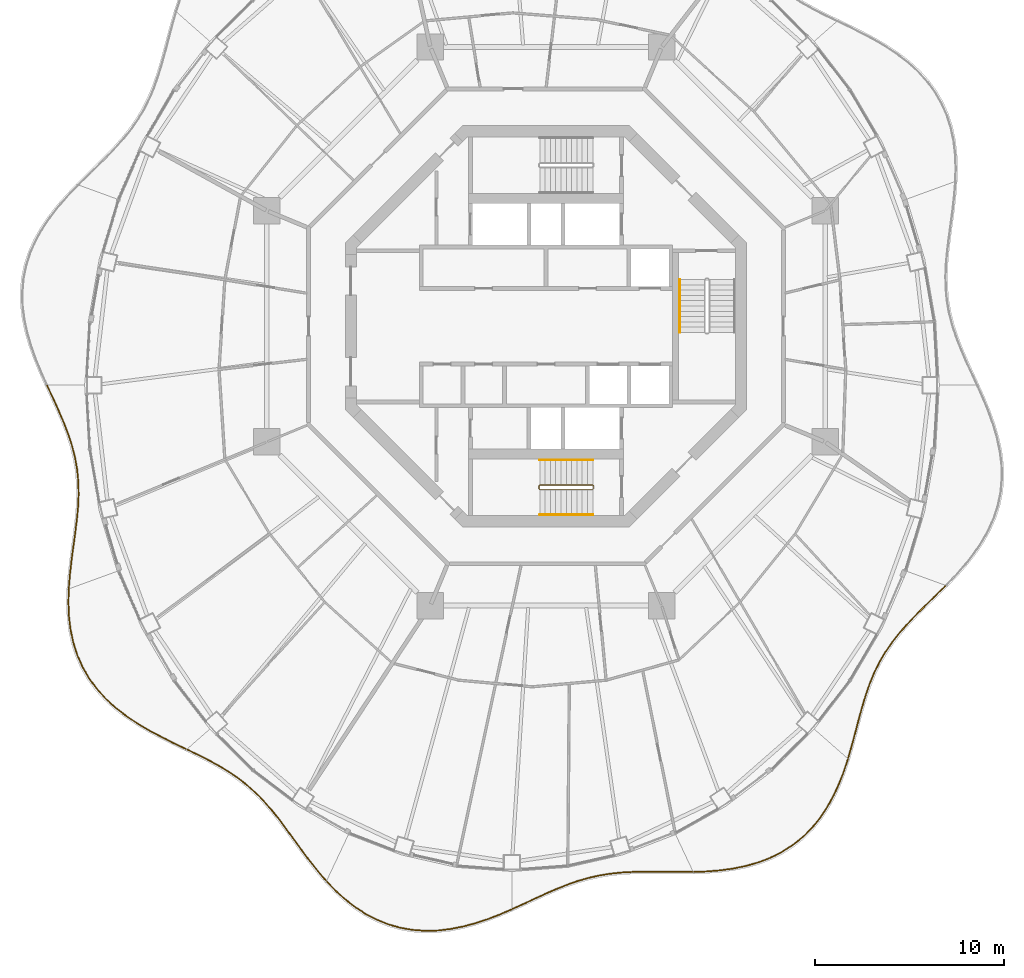
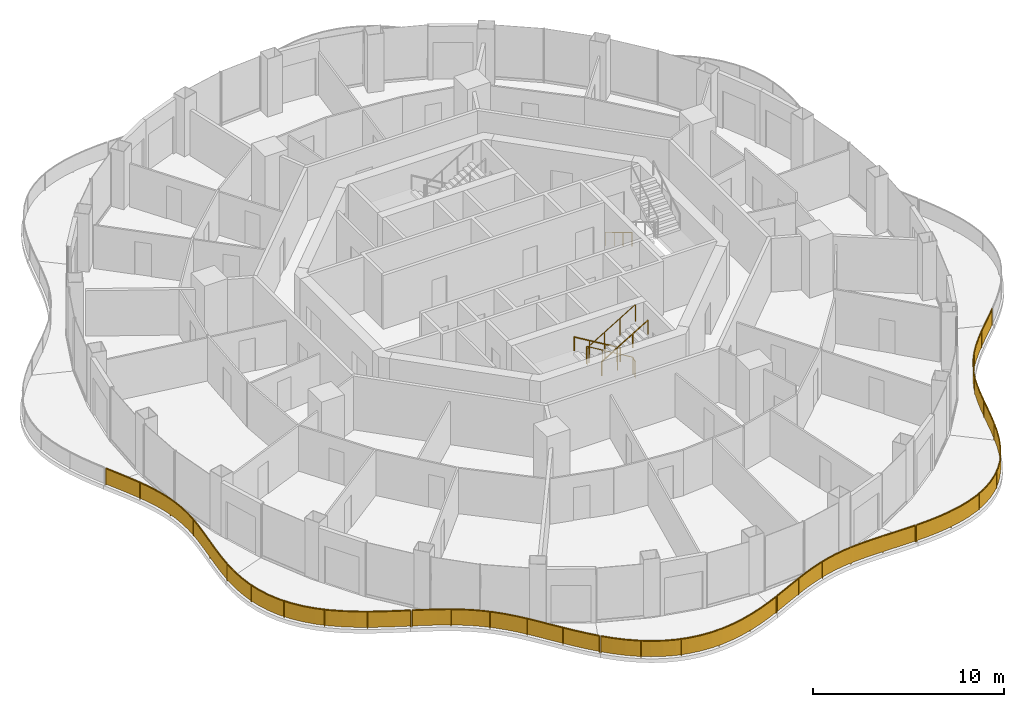
# One storey, part 15 of 17: 11 railings.
"""IFC4 building model written with IfcOpenShell, lengths in metres."""

from ifc_helpers import new_model, si_unit, direction, frame, origin, origin_2d, place, context, subcontext, project, spatial, polyline, rectangle, circle, outline, extrude, material, type_object, element, save


model = new_model("IFC4")

# Units and contexts
model_context = context("Model", 3, precision=1e-05, world=origin(), true_north=direction((0.0, 1.0)))
body_context = subcontext(model_context, "Body", "Model", "MODEL_VIEW")
ifc_project = project(units=[si_unit("LENGTHUNIT", "METRE"), si_unit("AREAUNIT", "SQUARE_METRE"), si_unit("VOLUMEUNIT", "CUBIC_METRE"), si_unit("PLANEANGLEUNIT", "RADIAN"), si_unit("MASSUNIT", "GRAM", prefix="KILO")], contexts=[model_context])

# Site, building, storey
site_placement = place(None, origin())
site = spatial("IfcSite", under=ifc_project, at=site_placement, CompositionType="ELEMENT")
building_placement = place(site_placement, origin())
building = spatial("IfcBuilding", under=site, at=building_placement, Name="Nagisa Residences", CompositionType="ELEMENT")
storey_placement = place(building_placement, frame((0.0, 0.0, 291.800048828125)))
storey = spatial("IfcBuildingStorey", under=building, at=storey_placement, Name="L74", CompositionType="ELEMENT", Elevation=291.800048828125)

# Railings
ifc_material_1 = material(Name="Stainless steel 316", Category="steel")
railing_type_1 = type_object("IfcRailingType", Name="BALCONY GUARD 1100", PredefinedType="BALUSTRADE", material=ifc_material_1)
railing_1_placement = place(storey_placement, frame((-26.398681640625, -3.15185546875, 0.0)))
element("IfcRailing", 1, at=railing_1_placement, inside=storey, type_object=railing_type_1, Name="guard:L74:bal08-0", PredefinedType="BALUSTRADE", context=body_context, shape_type="SweptSolid", body=[
    extrude(outline(polyline([(0.313232421875, -0.615478515625), (0.022705078125, 0.010498046875), (-0.022705078125, -0.010498046875), (0.267822265625, -0.636474609375), (0.566162109375, -1.291015625), (0.843505859375, -1.934814453125), (1.088623046875, -2.571044921875), (1.29345703125, -3.202880859375), (1.450927734375, -3.82080078125), (1.560302734375, -4.45654296875), (1.62060546875, -5.1005859375), (1.633544921875, -5.75634765625), (1.605224609375, -6.426513671875), (1.53955078125, -7.099853515625), (1.453125, -7.8037109375), (1.354736328125, -8.523681640625), (1.257080078125, -9.2578125), (1.173095703125, -10.0029296875), (1.117431640625, -10.708251953125), (1.167236328125, -10.712158203125), (1.222900390625, -10.0078125), (1.306884765625, -9.26416015625), (1.404541015625, -8.530517578125), (1.5029296875, -7.81005859375), (1.58935546875, -7.105224609375), (1.655029296875, -6.429931640625), (1.683837890625, -5.7568359375), (1.67041015625, -5.09765625), (1.610107421875, -4.4501953125), (1.499755859375, -3.810546875), (1.341796875, -3.189208984375), (1.135986328125, -2.554443359375), (0.889892578125, -1.915771484375), (0.612060546875, -1.2705078125), (0.313232421875, -0.615478515625)])), frame((0.0, 0.0, 1.050048828125)), (0.0, 0.0, 1.0), 0.050048828125),
    extrude(outline(polyline([(0.296875, -0.623046875), (0.00634765625, 0.0029296875), (-0.00634765625, -0.0029296875), (0.2841796875, -0.62890625), (0.582763671875, -1.28369140625), (0.860107421875, -1.927978515625), (1.105712890625, -2.565185546875), (1.310791015625, -3.197998046875), (1.468505859375, -3.817138671875), (1.578369140625, -4.454345703125), (1.638427734375, -5.099609375), (1.651611328125, -5.756591796875), (1.623046875, -6.427734375), (1.557373046875, -7.101806640625), (1.47119140625, -7.805908203125), (1.372802734375, -8.526123046875), (1.275146484375, -9.26025390625), (1.19091796875, -10.004638671875), (1.13525390625, -10.709716796875), (1.1494140625, -10.710693359375), (1.205078125, -10.006103515625), (1.288818359375, -9.26171875), (1.386474609375, -8.528076171875), (1.48486328125, -7.807861328125), (1.571533203125, -7.103271484375), (1.63720703125, -6.4287109375), (1.665771484375, -5.756591796875), (1.652587890625, -5.0986328125), (1.592041015625, -4.452392578125), (1.482177734375, -3.814208984375), (1.324462890625, -3.194091796875), (1.118896484375, -2.560302734375), (0.873291015625, -1.922607421875), (0.595458984375, -1.27783203125), (0.296875, -0.623046875)])), frame((0.0, 0.0, 0.06005859375)), (0.0, 0.0, 1.0), 0.989990234375),
    extrude(rectangle(XDim=0.0400390625, YDim=0.0400390625, at=origin_2d()), origin(), (0.0, 0.0, 1.0), 1.050048828125),
    extrude(rectangle(XDim=0.0400390625, YDim=0.0400390625, at=origin_2d()), frame((0.901123046875, -2.0146484375, 0.0)), (0.0, 0.0, 1.0), 1.050048828125),
    extrude(rectangle(XDim=0.0400390625, YDim=0.0400390625, at=origin_2d()), frame((1.52880859375, -4.125732421875, 0.0)), (0.0, 0.0, 1.0), 1.050048828125),
    extrude(rectangle(XDim=0.0400390625, YDim=0.0400390625, at=origin_2d()), frame((1.634521484375, -6.324462890625, 0.0)), (0.0, 0.0, 1.0), 1.050048828125),
    extrude(rectangle(XDim=0.0400390625, YDim=0.0400390625, at=origin_2d()), frame((1.381103515625, -8.5166015625, 0.0)), (0.0, 0.0, 1.0), 1.050048828125),
    extrude(rectangle(XDim=0.0400390625, YDim=0.0400390625, at=origin_2d()), frame((1.142333984375, -10.710205078125, 0.0)), (0.0, 0.0, 1.0), 1.050048828125),
])
railing_2_placement = place(storey_placement, frame((-25.261474609375, -13.93896484375, 0.0)))
element("IfcRailing", 2, at=railing_2_placement, inside=storey, type_object=railing_type_1, Name="guard:L74:bal09-0", PredefinedType="BALUSTRADE", context=body_context, shape_type="SweptSolid", body=[
    extrude(outline(polyline([(0.006103515625, -0.681640625), (0.02490234375, -0.000732421875), (-0.02490234375, 0.000732421875), (-0.044189453125, -0.68212890625), (-0.0146484375, -1.4052734375), (0.0703125, -2.116943359375), (0.2177734375, -2.810302734375), (0.43212890625, -3.479736328125), (0.708740234375, -4.1064453125), (1.06005859375, -4.711181640625), (1.477294921875, -5.27783203125), (1.95458984375, -5.8037109375), (2.4853515625, -6.28857421875), (3.052734375, -6.72119140625), (3.662353515625, -7.126953125), (4.296630859375, -7.5), (4.9443359375, -7.845458984375), (5.595458984375, -8.169921875), (6.200439453125, -8.459716796875), (6.221923828125, -8.414794921875), (5.617431640625, -8.125), (4.96728515625, -7.801025390625), (4.321044921875, -7.45654296875), (3.688720703125, -7.08447265625), (3.08203125, -6.6806640625), (2.517578125, -6.25), (1.990234375, -5.7685546875), (1.515869140625, -5.24609375), (1.10205078125, -4.683837890625), (0.753173828125, -4.08349609375), (0.47900390625, -3.462158203125), (0.26611328125, -2.797607421875), (0.11962890625, -2.108642578125), (0.03515625, -1.4013671875), (0.006103515625, -0.681640625)])), frame((0.0, 0.0, 1.050048828125)), (0.0, 0.0, 1.0), 0.050048828125),
    extrude(outline(polyline([(-0.011962890625, -0.681884765625), (0.007080078125, -0.000244140625), (-0.007080078125, 0.000244140625), (-0.026123046875, -0.681884765625), (0.003173828125, -1.40380859375), (0.088134765625, -2.114013671875), (0.235107421875, -2.8056640625), (0.448974609375, -3.473388671875), (0.724609375, -4.09814453125), (1.0751953125, -4.701416015625), (1.4912109375, -5.266357421875), (1.967529296875, -5.791015625), (2.4970703125, -6.274658203125), (3.063232421875, -6.70654296875), (3.671875, -7.111572265625), (4.305419921875, -7.484375), (4.95263671875, -7.829345703125), (5.603271484375, -8.15380859375), (6.208251953125, -8.443603515625), (6.214111328125, -8.430908203125), (5.609619140625, -8.14111328125), (4.958984375, -7.817138671875), (4.312255859375, -7.47216796875), (3.67919921875, -7.099853515625), (3.071533203125, -6.6953125), (2.505859375, -6.263916015625), (1.977294921875, -5.78125), (1.501953125, -5.257568359375), (1.0869140625, -4.693603515625), (0.7373046875, -4.091796875), (0.462158203125, -3.468505859375), (0.248779296875, -2.80224609375), (0.101806640625, -2.111572265625), (0.017333984375, -1.40283203125), (-0.011962890625, -0.681884765625)])), frame((0.0, 0.0, 0.06005859375)), (0.0, 0.0, 1.0), 0.989990234375),
    extrude(rectangle(XDim=0.0400390625, YDim=0.0400390625, at=origin_2d()), origin(), (0.0, 0.0, 1.0), 1.050048828125),
    extrude(rectangle(XDim=0.0400390625, YDim=0.0400390625, at=origin_2d()), frame((0.1259765625, -2.25830078125, 0.0)), (0.0, 0.0, 1.0), 1.050048828125),
    extrude(rectangle(XDim=0.0400390625, YDim=0.0400390625, at=origin_2d()), frame((0.8955078125, -4.3779296875, 0.0)), (0.0, 0.0, 1.0), 1.050048828125),
    extrude(rectangle(XDim=0.0400390625, YDim=0.0400390625, at=origin_2d()), frame((2.33349609375, -6.115966796875, 0.0)), (0.0, 0.0, 1.0), 1.050048828125),
    extrude(rectangle(XDim=0.0400390625, YDim=0.0400390625, at=origin_2d()), frame((4.19091796875, -7.408935546875, 0.0)), (0.0, 0.0, 1.0), 1.050048828125),
    extrude(rectangle(XDim=0.0400390625, YDim=0.0400390625, at=origin_2d()), frame((6.211181640625, -8.437255859375, 0.0)), (0.0, 0.0, 1.0), 1.050048828125),
])
railing_3_placement = place(storey_placement, frame((-18.981689453125, -22.4072265625, 0.0)))
element("IfcRailing", 3, at=railing_3_placement, inside=storey, type_object=railing_type_1, Name="guard:L74:bal10-0", PredefinedType="BALUSTRADE", context=body_context, shape_type="SweptSolid", body=[
    extrude(outline(polyline([(0.572021484375, -0.24853515625), (0.010986328125, 0.0224609375), (-0.010986328125, -0.0224609375), (0.549560546875, -0.29345703125), (1.129638671875, -0.5888671875), (1.685302734375, -0.894287109375), (2.213623046875, -1.216552734375), (2.71337890625, -1.561279296875), (3.173095703125, -1.922607421875), (3.619384765625, -2.324951171875), (4.0439453125, -2.759521484375), (4.451171875, -3.225830078125), (4.847900390625, -3.7216796875), (5.2255859375, -4.234619140625), (5.6201171875, -4.776611328125), (6.023681640625, -5.331787109375), (6.442626953125, -5.89111328125), (6.883056640625, -6.445068359375), (7.316650390625, -6.94921875), (7.354736328125, -6.91650390625), (6.921630859375, -6.413330078125), (6.482177734375, -5.8603515625), (6.063720703125, -5.302001953125), (5.66064453125, -4.747314453125), (5.26611328125, -4.204833984375), (4.887451171875, -3.69140625), (4.48974609375, -3.193603515625), (4.08056640625, -2.725341796875), (3.654052734375, -2.288818359375), (3.205322265625, -1.884521484375), (2.7431640625, -1.520751953125), (2.240966796875, -1.174560546875), (1.710205078125, -0.850830078125), (1.153076171875, -0.54443359375), (0.572021484375, -0.24853515625)])), frame((0.0, 0.0, 1.050048828125)), (0.0, 0.0, 1.0), 0.050048828125),
    extrude(outline(polyline([(0.56396484375, -0.2646484375), (0.0029296875, 0.00634765625), (-0.0029296875, -0.00634765625), (0.5576171875, -0.27734375), (1.13818359375, -0.57275390625), (1.6943359375, -0.878662109375), (2.223388671875, -1.201416015625), (2.72412109375, -1.546630859375), (3.184814453125, -1.908935546875), (3.6318359375, -2.31201171875), (4.05712890625, -2.7470703125), (4.465087890625, -3.214111328125), (4.862060546875, -3.710693359375), (5.240234375, -4.223876953125), (5.634765625, -4.76611328125), (6.0380859375, -5.321044921875), (6.456787109375, -5.880126953125), (6.89697265625, -6.43359375), (7.330322265625, -6.9375), (7.341064453125, -6.92822265625), (6.90771484375, -6.4248046875), (6.468017578125, -5.871337890625), (6.04931640625, -5.312744140625), (5.64599609375, -4.7578125), (5.25146484375, -4.215576171875), (4.873291015625, -3.702392578125), (4.475830078125, -3.205322265625), (4.0673828125, -2.73779296875), (3.6416015625, -2.3017578125), (3.193603515625, -1.898193359375), (2.732421875, -1.535400390625), (2.231201171875, -1.189697265625), (1.701171875, -0.866455078125), (1.14453125, -0.560546875), (0.56396484375, -0.2646484375)])), frame((0.0, 0.0, 0.06005859375)), (0.0, 0.0, 1.0), 0.989990234375),
    extrude(rectangle(XDim=0.0400390625, YDim=0.0400390625, at=origin_2d()), origin(), (0.0, 0.0, 1.0), 1.050048828125),
    extrude(rectangle(XDim=0.0400390625, YDim=0.0400390625, at=origin_2d()), frame((1.81884765625, -0.946533203125, 0.0)), (0.0, 0.0, 1.0), 1.050048828125),
    extrude(rectangle(XDim=0.0400390625, YDim=0.0400390625, at=origin_2d()), frame((3.469970703125, -2.156494140625, 0.0)), (0.0, 0.0, 1.0), 1.050048828125),
    extrude(rectangle(XDim=0.0400390625, YDim=0.0400390625, at=origin_2d()), frame((4.843505859375, -3.67626953125, 0.0)), (0.0, 0.0, 1.0), 1.050048828125),
    extrude(rectangle(XDim=0.0400390625, YDim=0.0400390625, at=origin_2d()), frame((6.0546875, -5.331787109375, 0.0)), (0.0, 0.0, 1.0), 1.050048828125),
    extrude(rectangle(XDim=0.0400390625, YDim=0.0400390625, at=origin_2d()), frame((7.335693359375, -6.932861328125, 0.0)), (0.0, 0.0, 1.0), 1.050048828125),
])
railing_4_placement = place(storey_placement, frame((-11.5947265625, -29.39794921875, 0.0)))
element("IfcRailing", 4, at=railing_4_placement, inside=storey, type_object=railing_type_1, Name="guard:L74:bal11-0", PredefinedType="BALUSTRADE", context=body_context, shape_type="SweptSolid", body=[
    extrude(outline(polyline([(0.4599609375, -0.443359375), (0.01806640625, 0.017333984375), (-0.01806640625, -0.017333984375), (0.4248046875, -0.4794921875), (0.93212890625, -0.93994140625), (1.469970703125, -1.35791015625), (2.037109375, -1.7255859375), (2.632080078125, -2.03564453125), (3.23681640625, -2.279052734375), (3.878662109375, -2.46142578125), (4.537841796875, -2.576416015625), (5.208251953125, -2.624267578125), (5.885498046875, -2.60693359375), (6.548095703125, -2.5263671875), (7.220947265625, -2.3935546875), (7.888427734375, -2.21337890625), (8.54443359375, -1.994384765625), (9.186767578125, -1.74609375), (9.77001953125, -1.49365234375), (9.75, -1.44775390625), (9.167724609375, -1.69970703125), (8.52734375, -1.947509765625), (7.873779296875, -2.16552734375), (7.209716796875, -2.3447265625), (6.540283203125, -2.47705078125), (5.881591796875, -2.55712890625), (5.209228515625, -2.573974609375), (4.543701171875, -2.526611328125), (3.889892578125, -2.41259765625), (3.2529296875, -2.231689453125), (2.653076171875, -1.990234375), (2.0625, -1.68212890625), (1.498779296875, -1.31689453125), (0.96435546875, -0.9013671875), (0.4599609375, -0.443359375)])), frame((0.0, 0.0, 1.050048828125)), (0.0, 0.0, 1.0), 0.050048828125),
    extrude(outline(polyline([(0.447265625, -0.456298828125), (0.005126953125, 0.0048828125), (-0.005126953125, -0.0048828125), (0.4375, -0.466552734375), (0.94384765625, -0.926025390625), (1.480224609375, -1.343017578125), (2.04638671875, -1.7099609375), (2.6396484375, -2.019287109375), (3.24267578125, -2.261962890625), (3.8828125, -2.44384765625), (4.5400390625, -2.558349609375), (5.20849609375, -2.606201171875), (5.884033203125, -2.589111328125), (6.54541015625, -2.508544921875), (7.217041015625, -2.3759765625), (7.883056640625, -2.196044921875), (8.538330078125, -1.9775390625), (9.179931640625, -1.7294921875), (9.7626953125, -1.47705078125), (9.75732421875, -1.46435546875), (9.174560546875, -1.71630859375), (8.533447265625, -1.96435546875), (7.879150390625, -2.182861328125), (7.213623046875, -2.3623046875), (6.54296875, -2.494873046875), (5.883056640625, -2.574951171875), (5.208984375, -2.592041015625), (4.54150390625, -2.544677734375), (3.8857421875, -2.43017578125), (3.2470703125, -2.248779296875), (2.6455078125, -2.006591796875), (2.05322265625, -1.69775390625), (1.488525390625, -1.331787109375), (0.95263671875, -0.915283203125), (0.447265625, -0.456298828125)])), frame((0.0, 0.0, 0.06005859375)), (0.0, 0.0, 1.0), 0.989990234375),
    extrude(rectangle(XDim=0.0400390625, YDim=0.0400390625, at=origin_2d()), origin(), (0.0, 0.0, 1.0), 1.050048828125),
    extrude(rectangle(XDim=0.0400390625, YDim=0.0400390625, at=origin_2d()), frame((1.60400390625, -1.4150390625, 0.0)), (0.0, 0.0, 1.0), 1.050048828125),
    extrude(rectangle(XDim=0.0400390625, YDim=0.0400390625, at=origin_2d()), frame((3.529052734375, -2.336181640625, 0.0)), (0.0, 0.0, 1.0), 1.050048828125),
    extrude(rectangle(XDim=0.0400390625, YDim=0.0400390625, at=origin_2d()), frame((5.6474609375, -2.588134765625, 0.0)), (0.0, 0.0, 1.0), 1.050048828125),
    extrude(rectangle(XDim=0.0400390625, YDim=0.0400390625, at=origin_2d()), frame((7.75439453125, -2.2236328125, 0.0)), (0.0, 0.0, 1.0), 1.050048828125),
    extrude(rectangle(XDim=0.0400390625, YDim=0.0400390625, at=origin_2d()), frame((9.760009765625, -1.470703125, 0.0)), (0.0, 0.0, 1.0), 1.050048828125),
])
railing_5_placement = place(storey_placement, frame((-1.765625, -30.836669921875, 0.0)))
element("IfcRailing", 5, at=railing_5_placement, inside=storey, type_object=railing_type_1, Name="guard:L74:bal12-0", PredefinedType="BALUSTRADE", context=body_context, shape_type="SweptSolid", body=[
    extrude(outline(polyline([(0.557373046875, 0.282958984375), (-0.010498046875, 0.022705078125), (0.010498046875, -0.022705078125), (0.578369140625, 0.237548828125), (1.1748046875, 0.513916015625), (1.758056640625, 0.78076171875), (2.33056640625, 1.0302734375), (2.89599609375, 1.255126953125), (3.440185546875, 1.447998046875), (4.002685546875, 1.61083984375), (4.56982421875, 1.739501953125), (5.1455078125, 1.834228515625), (5.733154296875, 1.89794921875), (6.318603515625, 1.92919921875), (6.93701171875, 1.943603515625), (7.572021484375, 1.943603515625), (8.22314453125, 1.9365234375), (8.887939453125, 1.930908203125), (9.51708984375, 1.93359375), (9.51708984375, 1.9833984375), (8.887939453125, 1.981201171875), (8.2236328125, 1.986328125), (7.572509765625, 1.993408203125), (6.9365234375, 1.993896484375), (6.316650390625, 1.97900390625), (5.729248046875, 1.94775390625), (5.138671875, 1.884033203125), (4.56005859375, 1.788818359375), (3.989990234375, 1.6591796875), (3.425048828125, 1.495849609375), (2.87841796875, 1.302001953125), (2.3115234375, 1.07666015625), (1.737548828125, 0.82666015625), (1.15380859375, 0.559326171875), (0.557373046875, 0.282958984375)])), frame((0.0, 0.0, 1.050048828125)), (0.0, 0.0, 1.0), 0.050048828125),
    extrude(outline(polyline([(0.56494140625, 0.2666015625), (-0.0029296875, 0.00634765625), (0.0029296875, -0.00634765625), (0.57080078125, 0.25390625), (1.167236328125, 0.5302734375), (1.750732421875, 0.79736328125), (2.32373046875, 1.047119140625), (2.8896484375, 1.27197265625), (3.434814453125, 1.46533203125), (3.998046875, 1.628173828125), (4.56640625, 1.75732421875), (5.14306640625, 1.852294921875), (5.731689453125, 1.915771484375), (6.31787109375, 1.947021484375), (6.936767578125, 1.961669921875), (7.572265625, 1.96142578125), (8.223388671875, 1.954345703125), (8.887939453125, 1.948974609375), (9.51708984375, 1.951416015625), (9.51708984375, 1.965576171875), (8.887939453125, 1.963134765625), (8.223388671875, 1.968505859375), (7.572265625, 1.9755859375), (6.936767578125, 1.975830078125), (6.3173828125, 1.961181640625), (5.730712890625, 1.929931640625), (5.14111328125, 1.865966796875), (4.5634765625, 1.77099609375), (3.99462890625, 1.641845703125), (3.430419921875, 1.478515625), (2.884765625, 1.28515625), (2.318359375, 1.059814453125), (1.744873046875, 0.81005859375), (1.161376953125, 0.54296875), (0.56494140625, 0.2666015625)])), frame((0.0, 0.0, 0.06005859375)), (0.0, 0.0, 1.0), 0.989990234375),
    extrude(rectangle(XDim=0.0400390625, YDim=0.0400390625, at=origin_2d()), origin(), (0.0, 0.0, 1.0), 1.050048828125),
    extrude(rectangle(XDim=0.0400390625, YDim=0.0400390625, at=origin_2d()), frame((1.794189453125, 0.823974609375, 0.0)), (0.0, 0.0, 1.0), 1.050048828125),
    extrude(rectangle(XDim=0.0400390625, YDim=0.0400390625, at=origin_2d()), frame((3.6357421875, 1.53076171875, 0.0)), (0.0, 0.0, 1.0), 1.050048828125),
    extrude(rectangle(XDim=0.0400390625, YDim=0.0400390625, at=origin_2d()), frame((5.570556640625, 1.905517578125, 0.0)), (0.0, 0.0, 1.0), 1.050048828125),
    extrude(rectangle(XDim=0.0400390625, YDim=0.0400390625, at=origin_2d()), frame((7.54296875, 1.968505859375, 0.0)), (0.0, 0.0, 1.0), 1.050048828125),
    extrude(rectangle(XDim=0.0400390625, YDim=0.0400390625, at=origin_2d()), frame((9.51708984375, 1.95849609375, 0.0)), (0.0, 0.0, 1.0), 1.050048828125),
])
railing_6_placement = place(storey_placement, frame((7.827880859375, -28.8779296875, 0.0)))
element("IfcRailing", 6, at=railing_6_placement, inside=storey, type_object=railing_type_1, Name="guard:L74:bal13-0", PredefinedType="BALUSTRADE", context=body_context, shape_type="SweptSolid", body=[
    extrude(outline(polyline([(0.659912109375, 0.046875), (-0.000732421875, 0.02490234375), (0.000732421875, -0.02490234375), (0.662841796875, -0.0029296875), (1.37255859375, 0.053955078125), (2.076904296875, 0.150146484375), (2.76953125, 0.292724609375), (3.440185546875, 0.486572265625), (4.074951171875, 0.73046875), (4.68798828125, 1.041015625), (5.26171875, 1.410888671875), (5.791748046875, 1.83837890625), (6.274169921875, 2.320068359375), (6.695556640625, 2.840576171875), (7.07958984375, 3.414794921875), (7.41650390625, 4.024658203125), (7.708984375, 4.661865234375), (7.963134765625, 5.31884765625), (8.167236328125, 5.943359375), (8.119873046875, 5.958984375), (7.915771484375, 5.33544921875), (7.6630859375, 4.681396484375), (7.37158203125, 4.047119140625), (7.03662109375, 3.440673828125), (6.655029296875, 2.870361328125), (6.237060546875, 2.353759765625), (5.758056640625, 1.87548828125), (5.232421875, 1.451416015625), (4.6630859375, 1.08447265625), (4.054443359375, 0.7763671875), (3.424072265625, 0.533935546875), (2.75732421875, 0.341552734375), (2.068603515625, 0.199462890625), (1.3671875, 0.103759765625), (0.659912109375, 0.046875)])), frame((0.0, 0.0, 1.050048828125)), (0.0, 0.0, 1.0), 0.050048828125),
    extrude(outline(polyline([(0.660888671875, 0.029052734375), (-0.000244140625, 0.007080078125), (0.000244140625, -0.007080078125), (0.661865234375, 0.014892578125), (1.37060546875, 0.07177734375), (2.073974609375, 0.16796875), (2.76513671875, 0.310302734375), (3.434326171875, 0.503662109375), (4.067626953125, 0.7470703125), (4.678955078125, 1.056640625), (5.251220703125, 1.425537109375), (5.779541015625, 1.851806640625), (6.2607421875, 2.332275390625), (6.680908203125, 2.851318359375), (7.064208984375, 3.424072265625), (7.400390625, 4.03271484375), (7.6923828125, 4.6689453125), (7.946044921875, 5.32470703125), (8.150146484375, 5.948974609375), (8.136962890625, 5.953369140625), (7.932861328125, 5.32958984375), (7.6796875, 4.67431640625), (7.3876953125, 4.0390625), (7.052001953125, 3.431396484375), (6.669677734375, 2.859619140625), (6.25048828125, 2.341552734375), (5.770263671875, 1.862060546875), (5.242919921875, 1.436767578125), (4.672119140625, 1.06884765625), (4.061767578125, 0.759765625), (3.429931640625, 0.516845703125), (2.76171875, 0.323974609375), (2.071533203125, 0.181640625), (1.369140625, 0.0859375), (0.660888671875, 0.029052734375)])), frame((0.0, 0.0, 0.06005859375)), (0.0, 0.0, 1.0), 0.989990234375),
    extrude(rectangle(XDim=0.0400390625, YDim=0.0400390625, at=origin_2d()), origin(), (0.0, 0.0, 1.0), 1.050048828125),
    extrude(rectangle(XDim=0.0400390625, YDim=0.0400390625, at=origin_2d()), frame((2.18701171875, 0.1982421875, 0.0)), (0.0, 0.0, 1.0), 1.050048828125),
    extrude(rectangle(XDim=0.0400390625, YDim=0.0400390625, at=origin_2d()), frame((4.275390625, 0.860107421875, 0.0)), (0.0, 0.0, 1.0), 1.050048828125),
    extrude(rectangle(XDim=0.0400390625, YDim=0.0400390625, at=origin_2d()), frame((6.052001953125, 2.1337890625, 0.0)), (0.0, 0.0, 1.0), 1.050048828125),
    extrude(rectangle(XDim=0.0400390625, YDim=0.0400390625, at=origin_2d()), frame((7.32666015625, 3.913818359375, 0.0)), (0.0, 0.0, 1.0), 1.050048828125),
    extrude(rectangle(XDim=0.0400390625, YDim=0.0400390625, at=origin_2d()), frame((8.1435546875, 5.951171875, 0.0)), (0.0, 0.0, 1.0), 1.050048828125),
])
railing_7_placement = place(storey_placement, frame((15.992919921875, -22.85302734375, 0.0)))
element("IfcRailing", 7, at=railing_7_placement, inside=storey, type_object=railing_type_1, Name="guard:L74:bal14-0", PredefinedType="BALUSTRADE", context=body_context, shape_type="SweptSolid", body=[
    extrude(outline(polyline([(0.166259765625, 0.666259765625), (-0.02392578125, 0.0068359375), (0.02392578125, -0.0068359375), (0.214599609375, 0.652587890625), (0.402099609375, 1.3505859375), (0.582275390625, 2.03515625), (0.76513671875, 2.700927734375), (0.9609375, 3.343505859375), (1.16943359375, 3.947265625), (1.41552734375, 4.53662109375), (1.69677734375, 5.099609375), (2.016845703125, 5.638671875), (2.37744140625, 6.1572265625), (2.771240234375, 6.64697265625), (3.208740234375, 7.139404296875), (3.677490234375, 7.627685546875), (4.170166015625, 8.117431640625), (4.677490234375, 8.6142578125), (5.158203125, 9.08984375), (5.123046875, 9.12548828125), (4.642333984375, 8.64990234375), (4.135009765625, 8.153076171875), (3.641845703125, 7.662841796875), (3.172119140625, 7.173583984375), (2.733154296875, 6.67919921875), (2.33740234375, 6.18701171875), (1.974853515625, 5.66552734375), (1.65283203125, 5.12353515625), (1.3701171875, 4.5576171875), (1.12255859375, 3.96533203125), (0.9130859375, 3.359130859375), (0.71728515625, 2.715087890625), (0.533935546875, 2.04833984375), (0.353759765625, 1.36328125), (0.166259765625, 0.666259765625)])), frame((0.0, 0.0, 1.050048828125)), (0.0, 0.0, 1.0), 0.050048828125),
    extrude(outline(polyline([(0.18359375, 0.661376953125), (-0.0068359375, 0.001953125), (0.0068359375, -0.001953125), (0.197265625, 0.657470703125), (0.384765625, 1.355224609375), (0.56494140625, 2.0400390625), (0.748046875, 2.7060546875), (0.943603515625, 3.34912109375), (1.152587890625, 3.953857421875), (1.399169921875, 4.544189453125), (1.680908203125, 5.108154296875), (2.001708984375, 5.648193359375), (2.363037109375, 6.16796875), (2.757568359375, 6.658447265625), (3.195556640625, 7.15185546875), (3.66455078125, 7.640380859375), (4.157470703125, 8.13037109375), (4.664794921875, 8.627197265625), (5.1455078125, 9.102783203125), (5.1357421875, 9.112548828125), (4.655029296875, 8.636962890625), (4.147705078125, 8.14013671875), (3.65478515625, 7.650146484375), (3.185302734375, 7.1611328125), (2.746826171875, 6.667724609375), (2.351806640625, 6.17626953125), (1.989990234375, 5.656005859375), (1.668701171875, 5.114990234375), (1.386474609375, 4.550048828125), (1.139404296875, 3.958740234375), (0.930419921875, 3.353515625), (0.734375, 2.7099609375), (0.55126953125, 2.04345703125), (0.37109375, 1.358642578125), (0.18359375, 0.661376953125)])), frame((0.0, 0.0, 0.06005859375)), (0.0, 0.0, 1.0), 0.989990234375),
    extrude(rectangle(XDim=0.0400390625, YDim=0.0400390625, at=origin_2d()), origin(), (0.0, 0.0, 1.0), 1.050048828125),
    extrude(rectangle(XDim=0.0400390625, YDim=0.0400390625, at=origin_2d()), frame((0.564453125, 2.064697265625, 0.0)), (0.0, 0.0, 1.0), 1.050048828125),
    extrude(rectangle(XDim=0.0400390625, YDim=0.0400390625, at=origin_2d()), frame((1.2080078125, 4.1044921875, 0.0)), (0.0, 0.0, 1.0), 1.050048828125),
    extrude(rectangle(XDim=0.0400390625, YDim=0.0400390625, at=origin_2d()), frame((2.224853515625, 5.9814453125, 0.0)), (0.0, 0.0, 1.0), 1.050048828125),
    extrude(rectangle(XDim=0.0400390625, YDim=0.0400390625, at=origin_2d()), frame((3.61865234375, 7.6025390625, 0.0)), (0.0, 0.0, 1.0), 1.050048828125),
    extrude(rectangle(XDim=0.0400390625, YDim=0.0400390625, at=origin_2d()), frame((5.140625, 9.107666015625, 0.0)), (0.0, 0.0, 1.0), 1.050048828125),
])
ifc_material_2 = material(Name="Stainless steel", Category="steel")
railing_type_2 = type_object("IfcRailingType", Name="Stair guard 1100", PredefinedType="GUARDRAIL", material=ifc_material_2)
railing_8_placement = place(storey_placement, frame((2.52490234375, -8.599609375, 0.0)))
element("IfcRailing", 8, at=railing_8_placement, inside=storey, type_object=railing_type_2, Name="L74 ST-S stair guard 1", PredefinedType="GUARDRAIL", context=body_context, shape_type="SweptSolid", body=[
    extrude(circle(Radius=0.02392578125, at=origin_2d()), frame((0.0, 0.0, 1.076171875), z_axis=(0.0, 1.0, 0.0), x_axis=(-1.0, 0.0, 0.0)), (0.0, 0.0, 1.0), 0.14990234375),
    extrude(circle(Radius=0.02392578125, at=origin_2d()), frame((0.0, 0.14990234375, 1.076171875), z_axis=(-0.273006030465, 0.27434429532, 0.922064485248), x_axis=(-0.708833529934, -0.705375805398, 0.0)), (0.0, 0.0, 1.0), 0.182373046875),
    extrude(circle(Radius=0.02392578125, at=origin_2d()), frame((-0.0498046875, 0.199951171875, 1.244140625), z_axis=(-0.857275202839, 0.0, 0.514858452973), x_axis=(0.0, -1.0, 0.0)), (0.0, 0.0, 1.0), 3.26611328125),
    extrude(circle(Radius=0.02392578125, at=origin_2d()), frame((-2.849853515625, 0.199951171875, 2.92578125), z_axis=(-0.707106781187, -0.707106781187, 0.0), x_axis=(0.707106781187, -0.707106781187, 0.0)), (0.0, 0.0, 1.0), 0.07080078125),
    extrude(circle(Radius=0.02392578125, at=origin_2d()), frame((-2.89990234375, 0.14990234375, 2.92578125), z_axis=(0.0, -1.0, 0.0), x_axis=(1.0, 0.0, 0.0)), (0.0, 0.0, 1.0), 0.14990234375),
    extrude(circle(Radius=0.02392578125, at=origin_2d()), frame((-2.89990234375, 0.0, 2.92578125), z_axis=(0.274243871929, -0.274243871929, 0.92172696468), x_axis=(0.707106781187, 0.707106781187, 0.0)), (0.0, 0.0, 1.0), 0.1826171875),
    extrude(circle(Radius=0.02392578125, at=origin_2d()), frame((-2.849853515625, -0.050048828125, 3.09423828125), z_axis=(0.857242210791, 0.0, 0.514913383045), x_axis=(0.0, 1.0, 0.0)), (0.0, 0.0, 1.0), 3.266357421875),
    extrude(circle(Radius=0.02099609375, at=origin_2d()), origin(), (0.0, 0.0, 1.0), 1.052001953125),
    extrude(circle(Radius=0.02099609375, at=origin_2d()), frame((0.0, 0.14990234375, 0.0)), (0.0, 0.0, 1.0), 1.052001953125),
    extrude(circle(Radius=0.02099609375, at=origin_2d()), frame((-0.0498046875, 0.199951171875, 0.168212890625)), (0.0, 0.0, 1.0), 1.052001953125),
    extrude(circle(Radius=0.02099609375, at=origin_2d()), frame((-0.983154296875, 0.199951171875, 0.728759765625)), (0.0, 0.0, 1.0), 1.052001953125),
    extrude(circle(Radius=0.02099609375, at=origin_2d()), frame((-1.91650390625, 0.199951171875, 1.289306640625)), (0.0, 0.0, 1.0), 1.052001953125),
    extrude(circle(Radius=0.02099609375, at=origin_2d()), frame((-2.849853515625, 0.199951171875, 1.849853515625)), (0.0, 0.0, 1.0), 1.052001953125),
    extrude(circle(Radius=0.02099609375, at=origin_2d()), frame((-2.89990234375, 0.14990234375, 1.849853515625)), (0.0, 0.0, 1.0), 1.052001953125),
    extrude(circle(Radius=0.02099609375, at=origin_2d()), frame((-2.89990234375, 0.0, 1.849853515625)), (0.0, 0.0, 1.0), 1.052001953125),
    extrude(circle(Radius=0.02099609375, at=origin_2d()), frame((-2.849853515625, -0.050048828125, 2.01806640625)), (0.0, 0.0, 1.0), 1.052001953125),
    extrude(circle(Radius=0.02099609375, at=origin_2d()), frame((-1.91650390625, -0.050048828125, 2.57861328125)), (0.0, 0.0, 1.0), 1.052001953125),
    extrude(circle(Radius=0.02099609375, at=origin_2d()), frame((-0.983154296875, -0.050048828125, 3.139404296875)), (0.0, 0.0, 1.0), 1.052001953125),
    extrude(circle(Radius=0.02099609375, at=origin_2d()), frame((-0.0498046875, -0.050048828125, 3.699951171875)), (0.0, 0.0, 1.0), 1.052001953125),
])
ifc_material_3 = material(Name="Stainless steel", Category="steel")
railing_type_3 = type_object("IfcRailingType", Name="Stair handrail 900", PredefinedType="HANDRAIL", material=ifc_material_3)
railing_9_placement = place(storey_placement, frame((7.07470703125, 2.47509765625, 0.168212890625)))
element("IfcRailing", 9, at=railing_9_placement, inside=storey, type_object=railing_type_3, Name="L74 ST-E stair handrail 1", PredefinedType="HANDRAIL", context=body_context, shape_type="SweptSolid", body=[
    extrude(circle(Radius=0.02392578125, at=origin_2d()), frame((0.0, 0.0, 0.8759765625), z_axis=(0.0, -0.857275202839, 0.514858452973), x_axis=(1.0, 0.0, 0.0)), (0.0, 0.0, 1.0), 3.26611328125),
    extrude(circle(Radius=0.02099609375, at=origin_2d()), origin(), (0.0, 0.0, 1.0), 0.851806640625),
    extrude(circle(Radius=0.02099609375, at=origin_2d()), frame((0.0, -0.933349609375, 0.560546875)), (0.0, 0.0, 1.0), 0.851806640625),
    extrude(circle(Radius=0.02099609375, at=origin_2d()), frame((0.0, -1.86669921875, 1.12109375)), (0.0, 0.0, 1.0), 0.851806640625),
    extrude(circle(Radius=0.02099609375, at=origin_2d()), frame((0.0, -2.800048828125, 1.681640625)), (0.0, 0.0, 1.0), 0.851806640625),
])
railing_10_placement = place(storey_placement, frame((2.47509765625, -7.07470703125, 0.168212890625)))
element("IfcRailing", 10, at=railing_10_placement, inside=storey, type_object=railing_type_3, Name="L74 ST-S stair handrail 1", PredefinedType="HANDRAIL", context=body_context, shape_type="SweptSolid", body=[
    extrude(circle(Radius=0.02392578125, at=origin_2d()), frame((0.0, 0.0, 0.8759765625), z_axis=(-0.857275202839, 0.0, 0.514858452973), x_axis=(0.0, -1.0, 0.0)), (0.0, 0.0, 1.0), 3.26611328125),
    extrude(circle(Radius=0.02099609375, at=origin_2d()), origin(), (0.0, 0.0, 1.0), 0.851806640625),
    extrude(circle(Radius=0.02099609375, at=origin_2d()), frame((-0.933349609375, 0.0, 0.560546875)), (0.0, 0.0, 1.0), 0.851806640625),
    extrude(circle(Radius=0.02099609375, at=origin_2d()), frame((-1.86669921875, 0.0, 1.12109375)), (0.0, 0.0, 1.0), 0.851806640625),
    extrude(circle(Radius=0.02099609375, at=origin_2d()), frame((-2.800048828125, 0.0, 1.681640625)), (0.0, 0.0, 1.0), 0.851806640625),
])
railing_11_placement = place(storey_placement, frame((-0.324951171875, -9.974609375, 2.01806640625)))
element("IfcRailing", 11, at=railing_11_placement, inside=storey, type_object=railing_type_3, Name="L74 ST-S stair handrail 2", PredefinedType="HANDRAIL", context=body_context, shape_type="SweptSolid", body=[
    extrude(circle(Radius=0.02392578125, at=origin_2d()), frame((0.0, 0.0, 0.8759765625), z_axis=(0.857242210791, 0.0, 0.514913383045), x_axis=(0.0, 1.0, 0.0)), (0.0, 0.0, 1.0), 3.266357421875),
    extrude(circle(Radius=0.02099609375, at=origin_2d()), origin(), (0.0, 0.0, 1.0), 0.851806640625),
    extrude(circle(Radius=0.02099609375, at=origin_2d()), frame((0.933349609375, 0.0, 0.560546875)), (0.0, 0.0, 1.0), 0.851806640625),
    extrude(circle(Radius=0.02099609375, at=origin_2d()), frame((1.86669921875, 0.0, 1.121337890625)), (0.0, 0.0, 1.0), 0.851806640625),
    extrude(circle(Radius=0.02099609375, at=origin_2d()), frame((2.800048828125, 0.0, 1.681884765625)), (0.0, 0.0, 1.0), 0.851806640625),
])

save(model, "model.ifc")
